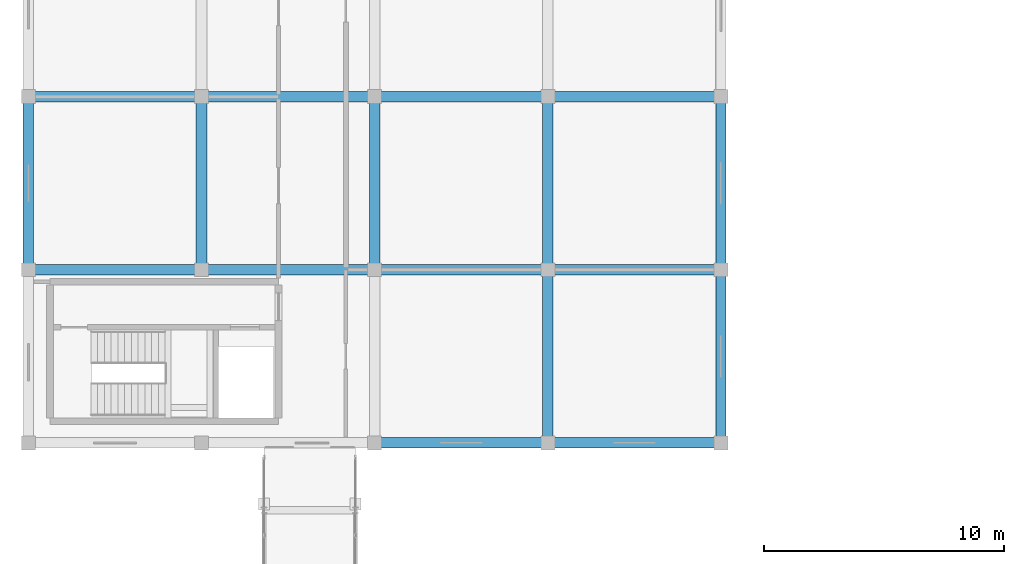
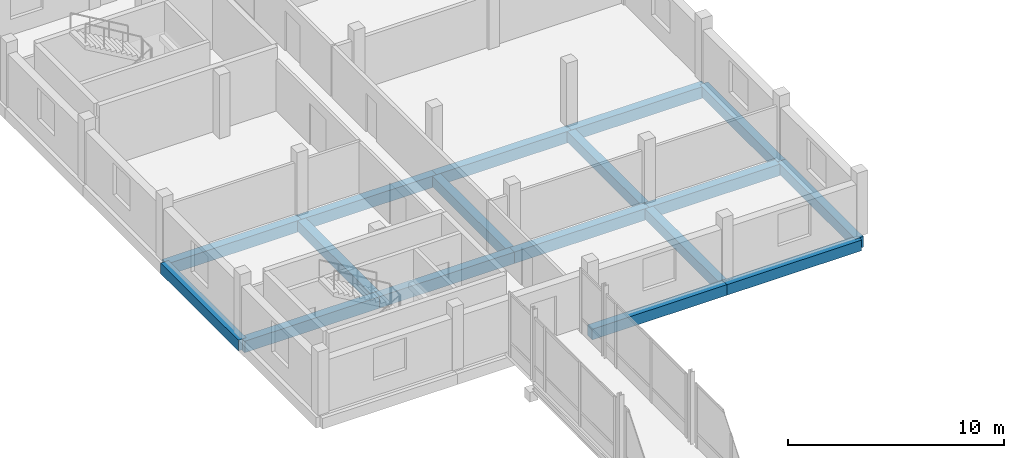
# One storey, part 61 of 128: 17 beams.
"""IFC4 building model written with IfcOpenShell, lengths in metres."""

from ifc_helpers import new_model, si_unit, direction, frame, origin, origin_2d, place, context, subcontext, project, spatial, rectangle, extrude, material, material_profile, profile_set, type_object, element, save


model = new_model("IFC4")

# Units and contexts
model_context = context("Model", 3, precision=1e-05, world=origin(), true_north=direction((0.0, 1.0)))
body_context = subcontext(model_context, "Body", "Model", "MODEL_VIEW")
ifc_project = project(units=[si_unit("LENGTHUNIT", "METRE"), si_unit("AREAUNIT", "SQUARE_METRE"), si_unit("VOLUMEUNIT", "CUBIC_METRE"), si_unit("PLANEANGLEUNIT", "RADIAN"), si_unit("MASSUNIT", "GRAM", prefix="KILO")], contexts=[model_context])

# Site, building, storey
site_placement = place(None, origin())
site = spatial("IfcSite", under=ifc_project, at=site_placement, CompositionType="ELEMENT")
building_placement = place(site_placement, origin())
building = spatial("IfcBuilding", under=site, at=building_placement, Name="Zornivar Specialist Clinic", CompositionType="ELEMENT")
storey_placement = place(building_placement, frame((0.0, 0.0, 4.5)))
storey = spatial("IfcBuildingStorey", under=building, at=storey_placement, Name="L01", CompositionType="ELEMENT", Elevation=4.5)

# Beams
ifc_material_1 = material(Name="Concrete C30/37", Category="concrete")
ifc_material_profile_1 = material_profile(ifc_material_1, rectangle(XDim=0.43994140625, YDim=0.64990234375, at=origin_2d()), Name="RC 440x650")
ifc_profile_set_1 = profile_set([ifc_material_profile_1], Name="Concrete C30/37")
beam_type_1 = type_object("IfcBeamType", Name="BM-RC-440x650", PredefinedType="BEAM", material=ifc_profile_set_1)
for number, where, z_axis, x_axis, name in (
    (1, (0.0, 86.39990234375, -0.635009765625), (1.0, 0.0, 0.0), (0.0, 1.0, 0.0), "bm:V5:L01:x:864:0"),
    (2, (7.199951171875, 86.39990234375, -0.635009765625), (1.0, 0.0, 0.0), (0.0, 1.0, 0.0), "bm:V5:L01:x:864:1"),
):
    element("IfcBeam", number, at=place(storey_placement, frame(where, z_axis=z_axis, x_axis=x_axis)), inside=storey, type_object=beam_type_1, Name=name, PredefinedType="BEAM", context=body_context, shape_type="SweptSolid", body=[
        extrude(rectangle(XDim=0.43994140625, YDim=0.64990234375, at=origin_2d()), origin(), (0.0, 0.0, 1.0), 7.199951171875),
    ])
beam_1_placement = place(storey_placement, frame((14.39990234375, 86.39990234375, -0.635009765625), z_axis=(1.0, 0.0, 0.0), x_axis=(0.0, 1.0, 0.0)))
element("IfcBeam", 3, at=beam_1_placement, inside=storey, type_object=beam_type_1, Name="bm:V5:L01:x:864:2", PredefinedType="BEAM", context=body_context, shape_type="SweptSolid", body=[
    extrude(rectangle(XDim=0.43994140625, YDim=0.64990234375, at=origin_2d()), origin(), (0.0, 0.0, 1.0), 7.2001953125),
])
for number, where, z_axis, x_axis, name in (
    (4, (21.60009765625, 86.39990234375, -0.635009765625), (1.0, 0.0, 0.0), (0.0, 1.0, 0.0), "bm:V5:L01:x:864:3"),
    (5, (0.0, 93.60009765625, -0.635009765625), (1.0, 0.0, 0.0), (0.0, 1.0, 0.0), "bm:V5:L01:x:936:0"),
    (6, (7.199951171875, 93.60009765625, -0.635009765625), (1.0, 0.0, 0.0), (0.0, 1.0, 0.0), "bm:V5:L01:x:936:1"),
):
    element("IfcBeam", number, at=place(storey_placement, frame(where, z_axis=z_axis, x_axis=x_axis)), inside=storey, type_object=beam_type_1, Name=name, PredefinedType="BEAM", context=body_context, shape_type="SweptSolid", body=[
        extrude(rectangle(XDim=0.43994140625, YDim=0.64990234375, at=origin_2d()), origin(), (0.0, 0.0, 1.0), 7.199951171875),
    ])
beam_2_placement = place(storey_placement, frame((14.39990234375, 93.60009765625, -0.635009765625), z_axis=(1.0, 0.0, 0.0), x_axis=(0.0, 1.0, 0.0)))
element("IfcBeam", 7, at=beam_2_placement, inside=storey, type_object=beam_type_1, Name="bm:V5:L01:x:936:2", PredefinedType="BEAM", context=body_context, shape_type="SweptSolid", body=[
    extrude(rectangle(XDim=0.43994140625, YDim=0.64990234375, at=origin_2d()), origin(), (0.0, 0.0, 1.0), 7.2001953125),
])
beam_3_placement = place(storey_placement, frame((21.60009765625, 93.60009765625, -0.635009765625), z_axis=(1.0, 0.0, 0.0), x_axis=(0.0, 1.0, 0.0)))
element("IfcBeam", 8, at=beam_3_placement, inside=storey, type_object=beam_type_1, Name="bm:V5:L01:x:936:3", PredefinedType="BEAM", context=body_context, shape_type="SweptSolid", body=[
    extrude(rectangle(XDim=0.43994140625, YDim=0.64990234375, at=origin_2d()), origin(), (0.0, 0.0, 1.0), 7.199951171875),
])
ifc_material_2 = material(Name="Concrete C30/37", Category="concrete")
ifc_material_profile_2 = material_profile(ifc_material_2, rectangle(XDim=0.449951171875, YDim=0.60009765625, at=origin_2d()), Name="RC 450x600")
ifc_profile_set_2 = profile_set([ifc_material_profile_2], Name="Concrete C30/37")
beam_type_2 = type_object("IfcBeamType", Name="BM-RC-450x600", PredefinedType="BEAM", material=ifc_profile_set_2)
for number, where, z_axis, x_axis, name in (
    (9, (7.199951171875, 86.39990234375, -0.610107421875), (0.0, 1.0, 0.0), (-1.0, 0.0, 0.0), "bm:V5:L01:y:72:1"),
    (10, (14.39990234375, 86.39990234375, -0.610107421875), (0.0, 1.0, 0.0), (-1.0, 0.0, 0.0), "bm:V5:L01:y:144:1"),
):
    element("IfcBeam", number, at=place(storey_placement, frame(where, z_axis=z_axis, x_axis=x_axis)), inside=storey, type_object=beam_type_2, Name=name, PredefinedType="BEAM", context=body_context, shape_type="SweptSolid", body=[
        extrude(rectangle(XDim=0.449951171875, YDim=0.60009765625, at=origin_2d()), origin(), (0.0, 0.0, 1.0), 7.2001953125),
    ])
beam_4_placement = place(storey_placement, frame((21.60009765625, 79.199951171875, -0.610107421875), z_axis=(0.0, 1.0, 0.0), x_axis=(-1.0, 0.0, 0.0)))
element("IfcBeam", 11, at=beam_4_placement, inside=storey, type_object=beam_type_2, Name="bm:V5:L01:y:216:0", PredefinedType="BEAM", context=body_context, shape_type="SweptSolid", body=[
    extrude(rectangle(XDim=0.449951171875, YDim=0.60009765625, at=origin_2d()), origin(), (0.0, 0.0, 1.0), 7.199951171875),
])
beam_5_placement = place(storey_placement, frame((21.60009765625, 86.39990234375, -0.610107421875), z_axis=(0.0, 1.0, 0.0), x_axis=(-1.0, 0.0, 0.0)))
element("IfcBeam", 12, at=beam_5_placement, inside=storey, type_object=beam_type_2, Name="bm:V5:L01:y:216:1", PredefinedType="BEAM", context=body_context, shape_type="SweptSolid", body=[
    extrude(rectangle(XDim=0.449951171875, YDim=0.60009765625, at=origin_2d()), origin(), (0.0, 0.0, 1.0), 7.2001953125),
])
ifc_material_3 = material(Name="Concrete C30/37", Category="concrete")
ifc_material_profile_3 = material_profile(ifc_material_3, rectangle(XDim=0.429931640625, YDim=0.60009765625, at=origin_2d()), Name="RC 430x600")
ifc_profile_set_3 = profile_set([ifc_material_profile_3], Name="Concrete C30/37")
beam_type_3 = type_object("IfcBeamType", Name="BM-RC-SPANDREL-430x600", PredefinedType="SPANDREL", material=ifc_profile_set_3)
beam_6_placement = place(storey_placement, frame((14.39990234375, 79.199951171875, -0.610107421875), z_axis=(1.0, 0.0, 0.0), x_axis=(0.0, 1.0, 0.0)))
element("IfcBeam", 13, at=beam_6_placement, inside=storey, type_object=beam_type_3, Name="bm:V5:L01:x:792:2", PredefinedType="SPANDREL", context=body_context, shape_type="SweptSolid", body=[
    extrude(rectangle(XDim=0.429931640625, YDim=0.60009765625, at=origin_2d()), origin(), (0.0, 0.0, 1.0), 7.2001953125),
])
beam_7_placement = place(storey_placement, frame((21.60009765625, 79.199951171875, -0.610107421875), z_axis=(1.0, 0.0, 0.0), x_axis=(0.0, 1.0, 0.0)))
element("IfcBeam", 14, at=beam_7_placement, inside=storey, type_object=beam_type_3, Name="bm:V5:L01:x:792:3", PredefinedType="SPANDREL", context=body_context, shape_type="SweptSolid", body=[
    extrude(rectangle(XDim=0.429931640625, YDim=0.60009765625, at=origin_2d()), origin(), (0.0, 0.0, 1.0), 7.199951171875),
])
beam_8_placement = place(storey_placement, frame((0.0, 86.39990234375, -0.610107421875), z_axis=(0.0, 1.0, 0.0), x_axis=(-1.0, 0.0, 0.0)))
element("IfcBeam", 15, at=beam_8_placement, inside=storey, type_object=beam_type_3, Name="bm:V5:L01:y:0:1", PredefinedType="SPANDREL", context=body_context, shape_type="SweptSolid", body=[
    extrude(rectangle(XDim=0.429931640625, YDim=0.60009765625, at=origin_2d()), origin(), (0.0, 0.0, 1.0), 7.2001953125),
])
beam_9_placement = place(storey_placement, frame((28.800048828125, 79.199951171875, -0.610107421875), z_axis=(0.0, 1.0, 0.0), x_axis=(-1.0, 0.0, 0.0)))
element("IfcBeam", 16, at=beam_9_placement, inside=storey, type_object=beam_type_3, Name="bm:V5:L01:y:288:0", PredefinedType="SPANDREL", context=body_context, shape_type="SweptSolid", body=[
    extrude(rectangle(XDim=0.429931640625, YDim=0.60009765625, at=origin_2d()), origin(), (0.0, 0.0, 1.0), 7.199951171875),
])
beam_10_placement = place(storey_placement, frame((28.800048828125, 86.39990234375, -0.610107421875), z_axis=(0.0, 1.0, 0.0), x_axis=(-1.0, 0.0, 0.0)))
element("IfcBeam", 17, at=beam_10_placement, inside=storey, type_object=beam_type_3, Name="bm:V5:L01:y:288:1", PredefinedType="SPANDREL", context=body_context, shape_type="SweptSolid", body=[
    extrude(rectangle(XDim=0.429931640625, YDim=0.60009765625, at=origin_2d()), origin(), (0.0, 0.0, 1.0), 7.2001953125),
])

save(model, "model.ifc")
